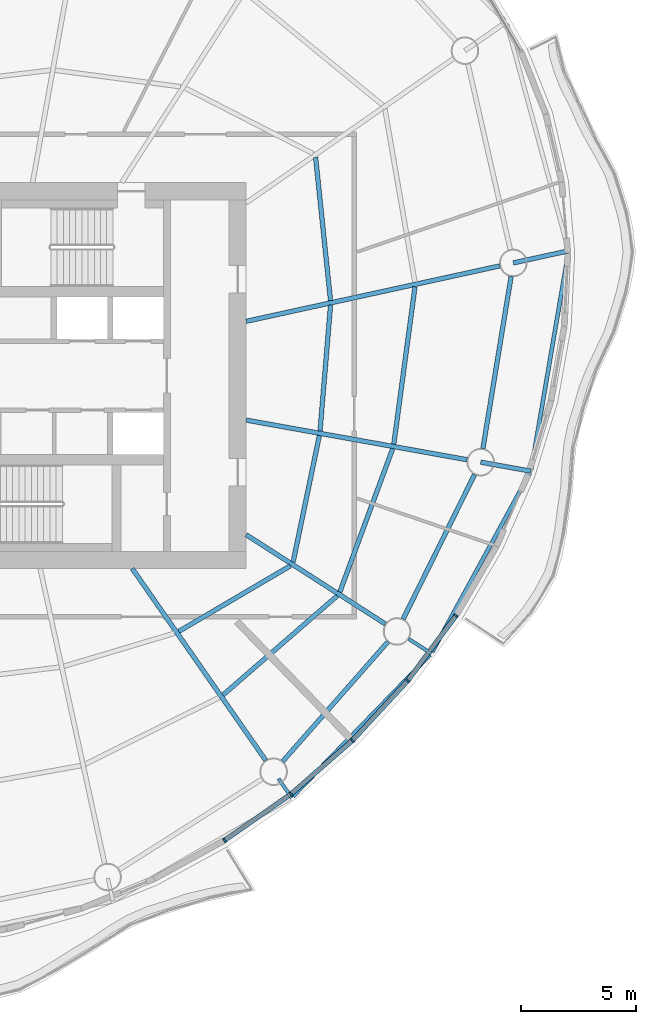
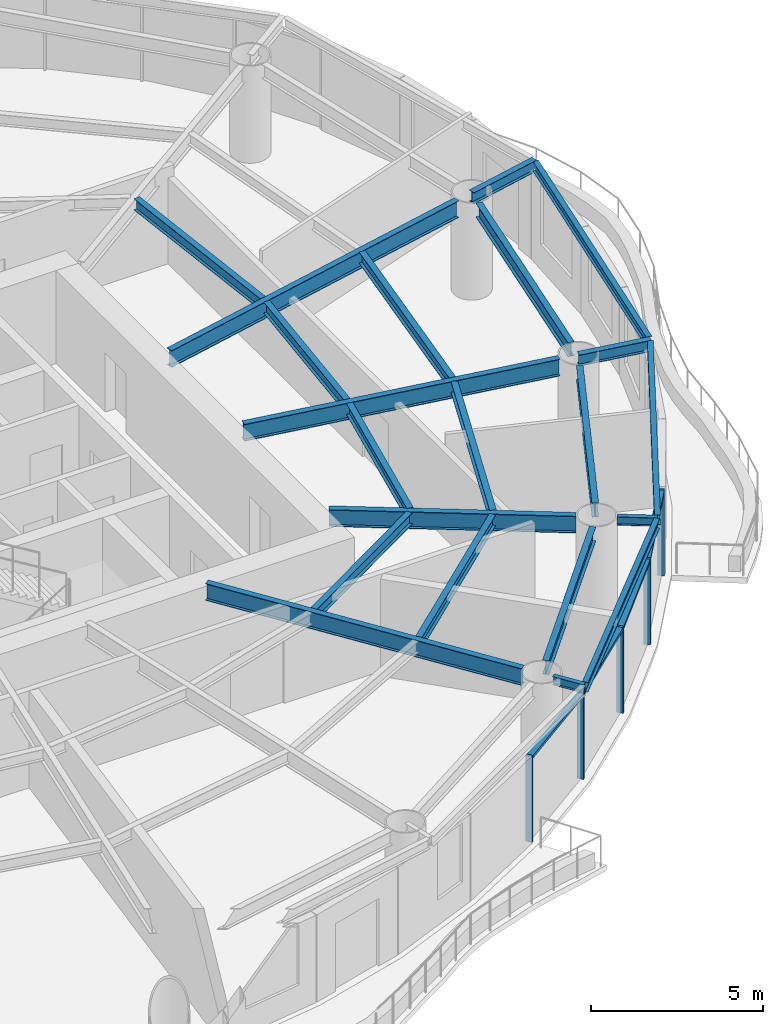
# One storey, part 4 of 14: 21 beams, 9 members, 4 elements without a shape of their own.
"""IFC4 building model written with IfcOpenShell, lengths in metres."""

from ifc_helpers import new_model, si_unit, direction, frame, origin, origin_2d, place, context, subcontext, project, spatial, rectangle, i_section, extrude, material, material_profile, profile_set, type_object, element, aggregate, save


model = new_model("IFC4")

# Units and contexts
model_context = context("Model", 3, precision=1e-05, world=origin(), true_north=direction((0.0, 1.0)))
body_context = subcontext(model_context, "Body", "Model", "MODEL_VIEW")
ifc_project = project(units=[si_unit("LENGTHUNIT", "METRE"), si_unit("AREAUNIT", "SQUARE_METRE"), si_unit("VOLUMEUNIT", "CUBIC_METRE"), si_unit("PLANEANGLEUNIT", "RADIAN"), si_unit("MASSUNIT", "GRAM", prefix="KILO")], contexts=[model_context])

# Site, building, storey
site_placement = place(None, origin())
site = spatial("IfcSite", under=ifc_project, at=site_placement, CompositionType="ELEMENT")
building_placement = place(site_placement, origin())
building = spatial("IfcBuilding", under=site, at=building_placement, Name="Vermilion Reach Broadcast Tower", CompositionType="ELEMENT")
storey_placement = place(building_placement, frame((0.0, 0.0, 210.10009765625)))
storey = spatial("IfcBuildingStorey", under=building, at=storey_placement, Name="L51", CompositionType="ELEMENT", Elevation=210.10009765625)

# Beams
ifc_material_1 = material(Name="Steel S355J2", Category="steel")
ifc_material_profile_1 = material_profile(ifc_material_1, i_section(OverallWidth=0.175048828125, OverallDepth=0.35009765625, WebThickness=0.007080078125, FlangeThickness=0.010986328125, at=origin_2d()), Name="S355J2 HN 350x175x7x11")
ifc_profile_set_1 = profile_set([ifc_material_profile_1], Name="Steel S355J2")
beam_type_1 = type_object("IfcBeamType", Name="EB4 HN 350x175x7x11", PredefinedType="BEAM", material=ifc_profile_set_1)
beam_1_placement = place(storey_placement, frame((6.83203125, -18.310791015625, 3.27490234375), z_axis=(0.695751646897, 0.718282427628, 0.0), x_axis=(-0.718282427628, 0.695751646897, 0.0)))
element("IfcBeam", 1, at=beam_1_placement, inside=storey, type_object=beam_type_1, Name="Edge beam EB4-12", PredefinedType="BEAM", context=body_context, shape_type="SweptSolid", body=[
    extrude(i_section(OverallWidth=0.175048828125, OverallDepth=0.35009765625, WebThickness=0.007080078125, FlangeThickness=0.010986328125, at=origin_2d()), origin(), (0.0, 0.0, 1.0), 8.58203125),
])
beam_2_placement = place(storey_placement, frame((12.892333984375, -12.025634765625, 3.27490234375), z_axis=(0.479506653317, 0.877538243853, 0.0), x_axis=(-0.877538243853, 0.479506653317, 0.0)))
element("IfcBeam", 2, at=beam_2_placement, inside=storey, type_object=beam_type_1, Name="Edge beam EB4-13", PredefinedType="BEAM", context=body_context, shape_type="SweptSolid", body=[
    extrude(i_section(OverallWidth=0.175048828125, OverallDepth=0.35009765625, WebThickness=0.007080078125, FlangeThickness=0.010986328125, at=origin_2d()), origin(), (0.0, 0.0, 1.0), 8.857666015625),
])
beam_3_placement = place(storey_placement, frame((17.20703125, -4.0615234375, 3.27490234375), z_axis=(0.168585791356, 0.985686984267, 0.0), x_axis=(-0.985686984267, 0.168585791356, 0.0)))
element("IfcBeam", 3, at=beam_3_placement, inside=storey, type_object=beam_type_1, Name="Edge beam EB4-14", PredefinedType="BEAM", context=body_context, shape_type="SweptSolid", body=[
    extrude(i_section(OverallWidth=0.175048828125, OverallDepth=0.35009765625, WebThickness=0.007080078125, FlangeThickness=0.010986328125, at=origin_2d()), origin(), (0.0, 0.0, 1.0), 9.518798828125),
])
ifc_material_2 = material(Name="Steel S355J2", Category="steel")
ifc_material_profile_2 = material_profile(ifc_material_2, i_section(OverallWidth=0.199951171875, OverallDepth=0.60009765625, WebThickness=0.010986328125, FlangeThickness=0.01708984375, at=origin_2d()), Name="S355J2 HN 600x200x11x17")
ifc_profile_set_2 = profile_set([ifc_material_profile_2], Name="Steel S355J2")
beam_type_2 = type_object("IfcBeamType", Name="G4 HN 600x200x11x17", PredefinedType="BEAM", material=ifc_profile_set_2)
beam_4_placement = place(storey_placement, frame((-0.1552734375, -8.39990234375, 3.14990234375), z_axis=(0.571134149017, -0.8208567377, 0.0), x_axis=(0.8208567377, 0.571134149017, 0.0)))
element("IfcBeam", 4, at=beam_4_placement, inside=storey, type_object=beam_type_2, Name="Girder G4-12", PredefinedType="BEAM", context=body_context, shape_type="SweptSolid", body=[
    extrude(i_section(OverallWidth=0.199951171875, OverallDepth=0.60009765625, WebThickness=0.010986328125, FlangeThickness=0.01708984375, at=origin_2d()), origin(), (0.0, 0.0, 1.0), 10.16552734375),
])
beam_5_placement = place(storey_placement, frame((4.800048828125, -6.925537109375, 3.14990234375), z_axis=(0.841798504642, -0.539791883584, 0.0), x_axis=(0.539791883584, 0.841798504642, 0.0)))
element("IfcBeam", 5, at=beam_5_placement, inside=storey, type_object=beam_type_2, Name="Girder G4-13", PredefinedType="BEAM", context=body_context, shape_type="SweptSolid", body=[
    extrude(i_section(OverallWidth=0.199951171875, OverallDepth=0.60009765625, WebThickness=0.010986328125, FlangeThickness=0.01708984375, at=origin_2d()), origin(), (0.0, 0.0, 1.0), 7.1962890625),
])
beam_6_placement = place(storey_placement, frame((4.800048828125, -1.9375, 3.14990234375), z_axis=(0.984291153273, -0.176552897422, 0.0), x_axis=(0.176552897422, 0.984291153273, 0.0)))
element("IfcBeam", 6, at=beam_6_placement, inside=storey, type_object=beam_type_2, Name="Girder G4-14", PredefinedType="BEAM", context=body_context, shape_type="SweptSolid", body=[
    extrude(i_section(OverallWidth=0.199951171875, OverallDepth=0.60009765625, WebThickness=0.010986328125, FlangeThickness=0.01708984375, at=origin_2d()), origin(), (0.0, 0.0, 1.0), 9.765380859375),
])
beam_7_placement = place(storey_placement, frame((4.800048828125, 2.360595703125, 3.14990234375), z_axis=(0.976930175286, 0.213558967537, 0.0), x_axis=(-0.213558967537, 0.976930175286, 0.0)))
element("IfcBeam", 7, at=beam_7_placement, inside=storey, type_object=beam_type_2, Name="Girder G4-15", PredefinedType="BEAM", context=body_context, shape_type="SweptSolid", body=[
    extrude(i_section(OverallWidth=0.199951171875, OverallDepth=0.60009765625, WebThickness=0.010986328125, FlangeThickness=0.01708984375, at=origin_2d()), origin(), (0.0, 0.0, 1.0), 11.29833984375),
])
ifc_material_3 = material(Name="Steel S355J2", Category="steel")
ifc_material_profile_3 = material_profile(ifc_material_3, i_section(OverallWidth=0.199951171875, OverallDepth=0.39990234375, WebThickness=0.008056640625, FlangeThickness=0.012939453125, at=origin_2d()), Name="S355J2 HN 400x200x8x13")
ifc_profile_set_3 = profile_set([ifc_material_profile_3], Name="Steel S355J2")
beam_type_3 = type_object("IfcBeamType", Name="GC4 HN 400x200x8x13", PredefinedType="BEAM", material=ifc_profile_set_3)
beam_8_placement = place(storey_placement, frame((15.002685546875, -3.767578125, 3.25), z_axis=(0.984275125044, -0.176642232262, 0.0), x_axis=(0.176642232262, 0.984275125044, 0.0)))
element("IfcBeam", 8, at=beam_8_placement, inside=storey, type_object=beam_type_3, Name="Cantilever girder GC4-14", PredefinedType="BEAM", context=body_context, shape_type="SweptSolid", body=[
    extrude(i_section(OverallWidth=0.199951171875, OverallDepth=0.39990234375, WebThickness=0.008056640625, FlangeThickness=0.012939453125, at=origin_2d()), origin(), (0.0, 0.0, 1.0), 2.222412109375),
])
beam_9_placement = place(storey_placement, frame((16.423828125, 4.9013671875, 3.25), z_axis=(0.976920705028, 0.213602284835, 0.0), x_axis=(-0.213602284835, 0.976920705028, 0.0)))
element("IfcBeam", 9, at=beam_9_placement, inside=storey, type_object=beam_type_3, Name="Cantilever girder GC4-15", PredefinedType="BEAM", context=body_context, shape_type="SweptSolid", body=[
    extrude(i_section(OverallWidth=0.199951171875, OverallDepth=0.39990234375, WebThickness=0.008056640625, FlangeThickness=0.012939453125, at=origin_2d()), origin(), (0.0, 0.0, 1.0), 2.463134765625),
])
ifc_material_4 = material(Name="Steel S355J2", Category="steel")
ifc_material_profile_4 = material_profile(ifc_material_4, i_section(OverallWidth=0.14990234375, OverallDepth=0.300048828125, WebThickness=0.006591796875, FlangeThickness=0.009033203125, at=origin_2d()), Name="S355J2 HN 300x150x6.5x9")
ifc_profile_set_4 = profile_set([ifc_material_profile_4], Name="Steel S355J2")
beam_type_4 = type_object("IfcBeamType", Name="GS4 HN 300x150x6.5x9", PredefinedType="BEAM", material=ifc_profile_set_4)
beam_10_placement = place(storey_placement, frame((6.20751953125, -17.544921875, 3.2998046875), z_axis=(0.571264751294, -0.820765852073, 0.0), x_axis=(0.820765852073, 0.571264751294, 0.0)))
element("IfcBeam", 10, at=beam_10_placement, inside=storey, type_object=beam_type_4, Name="Cantilever stub GS4-12", PredefinedType="BEAM", context=body_context, shape_type="SweptSolid", body=[
    extrude(i_section(OverallWidth=0.14990234375, OverallDepth=0.300048828125, WebThickness=0.006591796875, FlangeThickness=0.009033203125, at=origin_2d()), origin(), (0.0, 0.0, 1.0), 1.0),
])
beam_11_placement = place(storey_placement, frame((11.867919921875, -11.457763671875, 3.2998046875), z_axis=(0.841772532358, -0.539832384882, 0.0), x_axis=(0.539832384882, 0.841772532358, 0.0)))
element("IfcBeam", 11, at=beam_11_placement, inside=storey, type_object=beam_type_4, Name="Cantilever stub GS4-13", PredefinedType="BEAM", context=body_context, shape_type="SweptSolid", body=[
    extrude(i_section(OverallWidth=0.14990234375, OverallDepth=0.300048828125, WebThickness=0.006591796875, FlangeThickness=0.009033203125, at=origin_2d()), origin(), (0.0, 0.0, 1.0), 1.174072265625),
])
ifc_material_5 = material(Name="Steel S355J2", Category="steel")
ifc_material_profile_5 = material_profile(ifc_material_5, i_section(OverallWidth=0.199951171875, OverallDepth=0.5, WebThickness=0.010009765625, FlangeThickness=0.01611328125, at=origin_2d()), Name="S355J2 HN 500x200x10x16")
ifc_profile_set_5 = profile_set([ifc_material_profile_5], Name="Steel S355J2")
beam_type_5 = type_object("IfcBeamType", Name="RB4 HN 500x200x10x16", PredefinedType="BEAM", material=ifc_profile_set_5)
beam_12_placement = place(storey_placement, frame((6.3896484375, -16.786376953125, 3.199951171875), z_axis=(0.660565141761, 0.750768735024, 0.0), x_axis=(-0.750768735024, 0.660565141761, 0.0)))
element("IfcBeam", 12, at=beam_12_placement, inside=storey, type_object=beam_type_5, Name="Ring beam RB4-12", PredefinedType="BEAM", context=body_context, shape_type="SweptSolid", body=[
    extrude(i_section(OverallWidth=0.199951171875, OverallDepth=0.5, WebThickness=0.010009765625, FlangeThickness=0.01611328125, at=origin_2d()), origin(), (0.0, 0.0, 1.0), 6.9287109375),
])
beam_13_placement = place(storey_placement, frame((11.628662109375, -10.595947265625, 3.199951171875), z_axis=(0.442977497199, 0.896532730566, 0.0), x_axis=(-0.896532730566, 0.442977497199, 0.0)))
element("IfcBeam", 13, at=beam_13_placement, inside=storey, type_object=beam_type_5, Name="Ring beam RB4-13", PredefinedType="BEAM", context=body_context, shape_type="SweptSolid", body=[
    extrude(i_section(OverallWidth=0.199951171875, OverallDepth=0.5, WebThickness=0.010009765625, FlangeThickness=0.01611328125, at=origin_2d()), origin(), (0.0, 0.0, 1.0), 7.0166015625),
])
beam_14_placement = place(storey_placement, frame((15.099609375, -3.175537109375, 3.199951171875), z_axis=(0.161778110263, 0.986827159659, 0.0), x_axis=(-0.986827159659, 0.161778110263, 0.0)))
element("IfcBeam", 14, at=beam_14_placement, inside=storey, type_object=beam_type_5, Name="Ring beam RB4-14", PredefinedType="BEAM", context=body_context, shape_type="SweptSolid", body=[
    extrude(i_section(OverallWidth=0.199951171875, OverallDepth=0.5, WebThickness=0.010009765625, FlangeThickness=0.01611328125, at=origin_2d()), origin(), (0.0, 0.0, 1.0), 7.584716796875),
])
ifc_material_6 = material(Name="Steel S355J2", Category="steel")
ifc_material_profile_6 = material_profile(ifc_material_6, i_section(OverallWidth=0.199951171875, OverallDepth=0.39990234375, WebThickness=0.008056640625, FlangeThickness=0.012939453125, at=origin_2d()), Name="S355J2 HN 400x200x8x13")
ifc_profile_set_6 = profile_set([ifc_material_profile_6], Name="Steel S355J2")
beam_type_6 = type_object("IfcBeamType", Name="SB4 HN 400x200x8x13", PredefinedType="BEAM", material=ifc_profile_set_6)
beam_15_placement = place(storey_placement, frame((1.866455078125, -11.130615234375, 3.25), z_axis=(0.862172572268, 0.506614701356, 0.0), x_axis=(-0.506614701356, 0.862172572268, 0.0)))
element("IfcBeam", 15, at=beam_15_placement, inside=storey, type_object=beam_type_6, Name="Secondary beam SB4-12-1", PredefinedType="BEAM", context=body_context, shape_type="SweptSolid", body=[
    extrude(i_section(OverallWidth=0.199951171875, OverallDepth=0.39990234375, WebThickness=0.008056640625, FlangeThickness=0.012939453125, at=origin_2d()), origin(), (0.0, 0.0, 1.0), 5.632568359375),
])
beam_16_placement = place(storey_placement, frame((3.791259765625, -13.89697265625, 3.25), z_axis=(0.755129308567, 0.655575874589, 0.0), x_axis=(-0.655575874589, 0.755129308567, 0.0)))
element("IfcBeam", 16, at=beam_16_placement, inside=storey, type_object=beam_type_6, Name="Secondary beam SB4-12-2", PredefinedType="BEAM", context=body_context, shape_type="SweptSolid", body=[
    extrude(i_section(OverallWidth=0.199951171875, OverallDepth=0.39990234375, WebThickness=0.008056640625, FlangeThickness=0.012939453125, at=origin_2d()), origin(), (0.0, 0.0, 1.0), 6.57958984375),
])
beam_17_placement = place(storey_placement, frame((6.841064453125, -8.115478515625, 3.25), z_axis=(0.20320860258, 0.979135467562, 0.0), x_axis=(-0.979135467562, 0.20320860258, 0.0)))
element("IfcBeam", 17, at=beam_17_placement, inside=storey, type_object=beam_type_6, Name="Secondary beam SB4-13-1", PredefinedType="BEAM", context=body_context, shape_type="SweptSolid", body=[
    extrude(i_section(OverallWidth=0.199951171875, OverallDepth=0.39990234375, WebThickness=0.008056640625, FlangeThickness=0.012939453125, at=origin_2d()), origin(), (0.0, 0.0, 1.0), 5.622802734375),
])
beam_18_placement = place(storey_placement, frame((8.8740234375, -9.419189453125, 3.25), z_axis=(0.345833008621, 0.938296078084, 0.0), x_axis=(-0.938296078084, 0.345833008621, 0.0)))
element("IfcBeam", 18, at=beam_18_placement, inside=storey, type_object=beam_type_6, Name="Secondary beam SB4-13-2", PredefinedType="BEAM", context=body_context, shape_type="SweptSolid", body=[
    extrude(i_section(OverallWidth=0.199951171875, OverallDepth=0.39990234375, WebThickness=0.008056640625, FlangeThickness=0.012939453125, at=origin_2d()), origin(), (0.0, 0.0, 1.0), 6.647216796875),
])
beam_19_placement = place(storey_placement, frame((8.012451171875, -2.412109375, 3.25), z_axis=(0.08339866655, 0.996516262997, 0.0), x_axis=(-0.996516262997, 0.08339866655, 0.0)))
element("IfcBeam", 19, at=beam_19_placement, inside=storey, type_object=beam_type_6, Name="Secondary beam SB4-14-1", PredefinedType="BEAM", context=body_context, shape_type="SweptSolid", body=[
    extrude(i_section(OverallWidth=0.199951171875, OverallDepth=0.39990234375, WebThickness=0.008056640625, FlangeThickness=0.012939453125, at=origin_2d()), origin(), (0.0, 0.0, 1.0), 5.49169921875),
])
beam_20_placement = place(storey_placement, frame((11.221435546875, -2.98779296875, 3.25), z_axis=(0.133486718782, 0.991050602093, 0.0), x_axis=(-0.991050602093, 0.133486718782, 0.0)))
element("IfcBeam", 20, at=beam_20_placement, inside=storey, type_object=beam_type_6, Name="Secondary beam SB4-14-2", PredefinedType="BEAM", context=body_context, shape_type="SweptSolid", body=[
    extrude(i_section(OverallWidth=0.199951171875, OverallDepth=0.39990234375, WebThickness=0.008056640625, FlangeThickness=0.012939453125, at=origin_2d()), origin(), (0.0, 0.0, 1.0), 6.913330078125),
])
beam_21_placement = place(storey_placement, frame((8.46875, 3.264892578125, 3.25), z_axis=(-0.103532173355, 0.994626105167, 0.0), x_axis=(-0.994626105167, -0.103532173355, 0.0)))
element("IfcBeam", 21, at=beam_21_placement, inside=storey, type_object=beam_type_6, Name="Secondary beam SB4-15-1", PredefinedType="BEAM", context=body_context, shape_type="SweptSolid", body=[
    extrude(i_section(OverallWidth=0.199951171875, OverallDepth=0.39990234375, WebThickness=0.008056640625, FlangeThickness=0.012939453125, at=origin_2d()), origin(), (0.0, 0.0, 1.0), 6.26318359375),
])

# Curtain wall, member
ifc_material_7 = material(Name="Low-e laminated clear glass in aluminium frame", Category="aluminium")
curtain_wall_type = type_object("IfcCurtainWallType", Name="Slot curtain wall", PredefinedType="NOTDEFINED", material=ifc_material_7)
placement = place(storey_placement, origin())
curtain_wall_1 = element("IfcCurtainWall", 22, at=placement, inside=storey, type_object=curtain_wall_type, Name="Slot curtain wall L51 34", PredefinedType="NOTDEFINED")
ifc_material_8 = material(Name="Anodised aluminium", Category="aluminium")
ifc_material_profile_7 = material_profile(ifc_material_8, rectangle(XDim=0.199951171875, YDim=0.080078125, at=origin_2d()), Name="Slot mullion 80 x 200")
ifc_profile_set_7 = profile_set([ifc_material_profile_7], Name="Anodised aluminium")
member_type_1 = type_object("IfcMemberType", Name="Slot mullion 80 x 200", PredefinedType="MULLION", material=ifc_profile_set_7)
member_1_placement = place(storey_placement, frame((3.8544921875, -20.225830078125, 0.0), z_axis=(0.0, 0.0, 1.0), x_axis=(-0.526347655403, 0.850269454733, 0.0)))
member_1 = element("IfcMember", 23, at=member_1_placement, type_object=member_type_1, Name="Slot mullion L51 34", PredefinedType="MULLION", context=body_context, shape_type="SweptSolid", body=[
    extrude(rectangle(XDim=0.199951171875, YDim=0.080078125, at=origin_2d()), origin(), (0.0, 0.0, 1.0), 3.0498046875),
])

curtain_wall_2 = element("IfcCurtainWall", 24, at=placement, inside=storey, type_object=curtain_wall_type, Name="Slot curtain wall L51 35", PredefinedType="NOTDEFINED")
member_2_placement = place(storey_placement, frame((6.746337890625, -18.20849609375, 0.0), z_axis=(0.0, 0.0, 1.0), x_axis=(-0.615579926315, 0.788074459882, 0.0)))
member_2 = element("IfcMember", 25, at=member_2_placement, type_object=member_type_1, Name="Slot mullion L51 35", PredefinedType="MULLION", context=body_context, shape_type="SweptSolid", body=[
    extrude(rectangle(XDim=0.199951171875, YDim=0.080078125, at=origin_2d()), origin(), (0.0, 0.0, 1.0), 3.0498046875),
])

curtain_wall_3 = element("IfcCurtainWall", 26, at=placement, inside=storey, type_object=curtain_wall_type, Name="Slot curtain wall L51 36", PredefinedType="NOTDEFINED")
member_3_placement = place(storey_placement, frame((9.419189453125, -15.8779296875, 0.0), z_axis=(0.0, 0.0, 1.0), x_axis=(-0.696664415934, 0.717397164457, 0.0)))
member_3 = element("IfcMember", 27, at=member_3_placement, type_object=member_type_1, Name="Slot mullion L51 36", PredefinedType="MULLION", context=body_context, shape_type="SweptSolid", body=[
    extrude(rectangle(XDim=0.199951171875, YDim=0.080078125, at=origin_2d()), origin(), (0.0, 0.0, 1.0), 3.0498046875),
])

# Curtain wall, members
curtain_wall_4 = element("IfcCurtainWall", 28, at=placement, inside=storey, type_object=curtain_wall_type, Name="Slot curtain wall L51 37", PredefinedType="NOTDEFINED")
member_4_placement = place(storey_placement, frame((11.826904296875, -13.274658203125, 0.0), z_axis=(0.0, 0.0, 1.0), x_axis=(-0.769688579351, 0.638419525717, 0.0)))
member_4 = element("IfcMember", 29, at=member_4_placement, type_object=member_type_1, Name="Slot mullion L51 37", PredefinedType="MULLION", context=body_context, shape_type="SweptSolid", body=[
    extrude(rectangle(XDim=0.199951171875, YDim=0.080078125, at=origin_2d()), origin(), (0.0, 0.0, 1.0), 3.0498046875),
])
member_5_placement = place(storey_placement, frame((13.92822265625, -10.443359375, 0.0), z_axis=(0.0, 0.0, 1.0), x_axis=(-0.834472938971, 0.551048921716, 0.0)))
member_5 = element("IfcMember", 30, at=member_5_placement, type_object=member_type_1, Name="Slot mullion L51 38", PredefinedType="MULLION", context=body_context, shape_type="SweptSolid", body=[
    extrude(rectangle(XDim=0.199951171875, YDim=0.080078125, at=origin_2d()), origin(), (0.0, 0.0, 1.0), 3.0498046875),
])

# Member
ifc_material_9 = material(Name="Anodised aluminium", Category="aluminium")
ifc_material_profile_8 = material_profile(ifc_material_9, rectangle(XDim=0.199951171875, YDim=0.10009765625, at=origin_2d()), Name="Slot transom 200 x 100")
ifc_profile_set_8 = profile_set([ifc_material_profile_8], Name="Anodised aluminium")
member_type_2 = type_object("IfcMemberType", Name="Slot transom 200 x 100", PredefinedType="USERDEFINED", material=ifc_profile_set_8)
member_6_placement = place(storey_placement, frame((3.887451171875, -20.202880859375, 3.0), z_axis=(0.820113036222, 0.572201544754, 0.0), x_axis=(-0.572201544754, 0.820113036222, 0.0)))
member_6 = element("IfcMember", 31, at=member_6_placement, type_object=member_type_2, Name="Slot transom L51 34.1", ObjectType="TRANSOM", PredefinedType="USERDEFINED", context=body_context, shape_type="SweptSolid", body=[
    extrude(rectangle(XDim=0.199951171875, YDim=0.10009765625, at=origin_2d()), origin(), (0.0, 0.0, 1.0), 3.44580078125),
])

aggregate(curtain_wall_1, [member_1, member_6])

member_7_placement = place(storey_placement, frame((6.7763671875, -18.18212890625, 3.0), z_axis=(0.753740523465, 0.657172141289, 0.0), x_axis=(-0.657172141289, 0.753740523465, 0.0)))
member_7 = element("IfcMember", 32, at=member_7_placement, type_object=member_type_2, Name="Slot transom L51 35.1", ObjectType="TRANSOM", PredefinedType="USERDEFINED", context=body_context, shape_type="SweptSolid", body=[
    extrude(rectangle(XDim=0.199951171875, YDim=0.10009765625, at=origin_2d()), origin(), (0.0, 0.0, 1.0), 3.466064453125),
])

aggregate(curtain_wall_2, [member_2, member_7])

member_8_placement = place(storey_placement, frame((9.4462890625, -15.8486328125, 3.0), z_axis=(0.678993584238, 0.734144204202, 0.0), x_axis=(-0.734144204202, 0.678993584238, 0.0)))
member_8 = element("IfcMember", 33, at=member_8_placement, type_object=member_type_2, Name="Slot transom L51 36.1", ObjectType="TRANSOM", PredefinedType="USERDEFINED", context=body_context, shape_type="SweptSolid", body=[
    extrude(rectangle(XDim=0.199951171875, YDim=0.10009765625, at=origin_2d()), origin(), (0.0, 0.0, 1.0), 3.466064453125),
])

aggregate(curtain_wall_3, [member_3, member_8])

member_9_placement = place(storey_placement, frame((11.850830078125, -13.242431640625, 3.0), z_axis=(0.595933892366, 0.803033496144, 0.0), x_axis=(-0.803033496144, 0.595933892366, 0.0)))
member_9 = element("IfcMember", 34, at=member_9_placement, type_object=member_type_2, Name="Slot transom L51 37.1", ObjectType="TRANSOM", PredefinedType="USERDEFINED", context=body_context, shape_type="SweptSolid", body=[
    extrude(rectangle(XDim=0.199951171875, YDim=0.10009765625, at=origin_2d()), origin(), (0.0, 0.0, 1.0), 3.44580078125),
])

aggregate(curtain_wall_4, [member_4, member_5, member_9])

save(model, "model.ifc")
